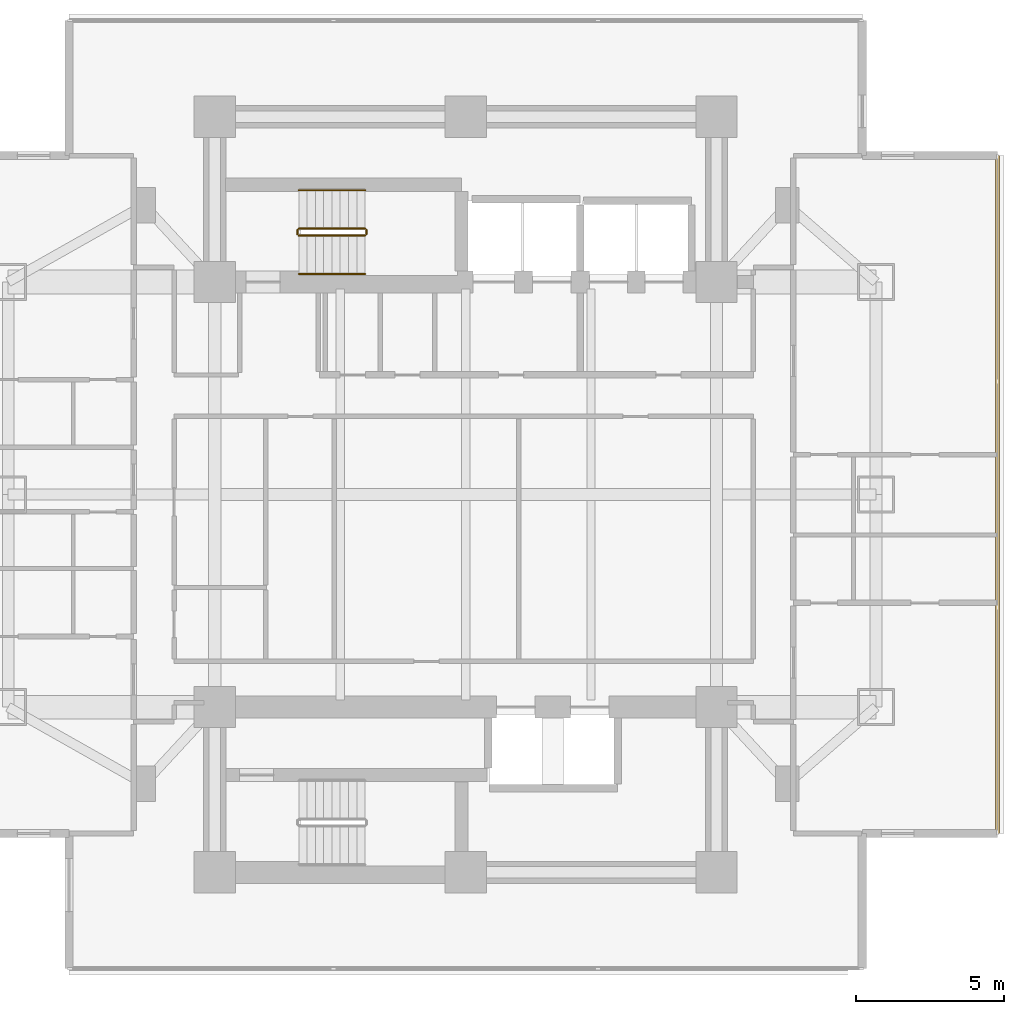
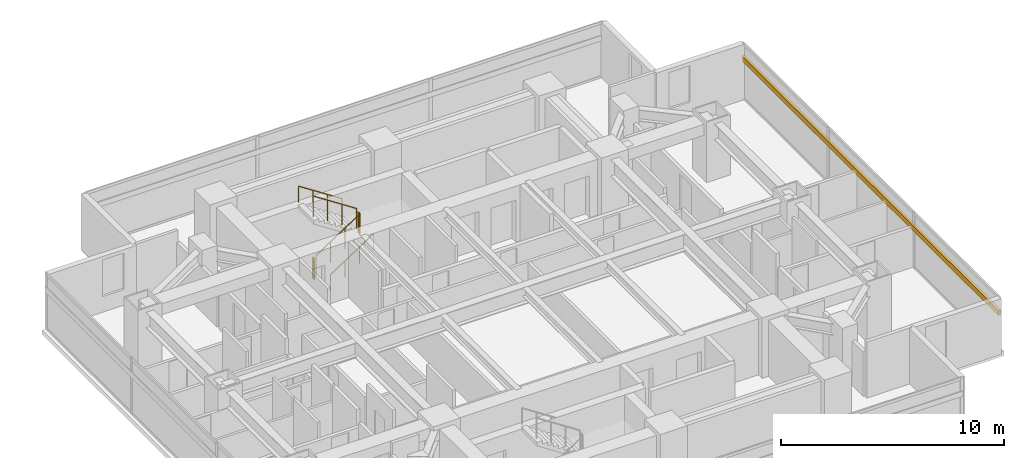
# One storey, part 25 of 26: 6 railings, 1 shading device.
"""IFC4 building model written with IfcOpenShell, lengths in metres."""

from ifc_helpers import new_model, si_unit, direction, frame, origin, origin_2d, place, context, subcontext, project, spatial, rectangle, circle, extrude, material, material_profile, profile_set, type_object, element, save


model = new_model("IFC4")

# Units and contexts
model_context = context("Model", 3, precision=1e-05, world=origin(), true_north=direction((0.0, 1.0)))
body_context = subcontext(model_context, "Body", "Model", "MODEL_VIEW")
ifc_project = project(units=[si_unit("LENGTHUNIT", "METRE"), si_unit("AREAUNIT", "SQUARE_METRE"), si_unit("VOLUMEUNIT", "CUBIC_METRE"), si_unit("PLANEANGLEUNIT", "RADIAN"), si_unit("MASSUNIT", "GRAM", prefix="KILO")], contexts=[model_context])

# Site, building, storey
site_placement = place(None, origin())
site = spatial("IfcSite", under=ifc_project, at=site_placement, CompositionType="ELEMENT")
building_placement = place(site_placement, origin())
building = spatial("IfcBuilding", under=site, at=building_placement, Name="Mirazonda Arch Towers", CompositionType="ELEMENT")
storey_placement = place(building_placement, frame((0.0, 0.0, 25.699951171875)))
storey = spatial("IfcBuildingStorey", under=building, at=storey_placement, Name="L06", CompositionType="ELEMENT", Elevation=25.699951171875)

# Shading device
ifc_material_1 = material(Name="Kiln-Fired Architectural Terracotta", Category="masonry")
ifc_material_profile = material_profile(ifc_material_1, rectangle(XDim=0.139892578125, YDim=0.280029296875, at=origin_2d()), Name="TERRA-BAG-140x280")
ifc_profile_set = profile_set([ifc_material_profile], Name="Kiln-Fired Architectural Terracotta")
shading_device_type = type_object("IfcShadingDeviceType", Name="BAGUETTE-3", PredefinedType="USERDEFINED", material=ifc_profile_set)
shading_device_placement = place(storey_placement, frame((94.51806640625, 16.5166015625, 2.18896484375), z_axis=(0.0, 1.0, 0.0), x_axis=(-1.0, 0.0, 0.0)))
element("IfcShadingDevice", 1, at=shading_device_placement, inside=storey, type_object=shading_device_type, Name="L06 Glazed Terracotta Sun-Screen Baguette CW-L06-T2-E", ObjectType="BAGUETTE", PredefinedType="USERDEFINED", context=body_context, shape_type="SweptSolid", body=[
    extrude(rectangle(XDim=0.139892578125, YDim=0.280029296875, at=origin_2d()), origin(), (0.0, 0.0, 1.0), 22.966796875),
])

# Railings
ifc_material_2 = material(Name="Architectural Brushed Steel S355", Category="steel")
railing_type_1 = type_object("IfcRailingType", Name="GUARD-STAIR-1120", PredefinedType="GUARDRAIL", material=ifc_material_2)
railing_1_placement = place(storey_placement, frame((70.85009765625, 36.77001953125, 0.183349609375)))
element("IfcRailing", 2, at=railing_1_placement, inside=storey, type_object=railing_type_1, Name="L06 ST-T2N stair guard 1", PredefinedType="GUARDRAIL", context=body_context, shape_type="SweptSolid", body=[
    extrude(circle(Radius=0.02392578125, at=origin_2d()), frame((0.0, 0.0, 1.1259765625), z_axis=(0.836595146698, 0.0, 0.547821650285), x_axis=(0.0, 1.0, 0.0)), (0.0, 0.0, 1.0), 2.677490234375),
    extrude(circle(Radius=0.02099609375, at=origin_2d()), origin(), (0.0, 0.0, 1.0), 1.101806640625),
    extrude(circle(Radius=0.02099609375, at=origin_2d()), frame((0.74658203125, 0.0, 0.489013671875)), (0.0, 0.0, 1.0), 1.101806640625),
    extrude(circle(Radius=0.02099609375, at=origin_2d()), frame((1.493408203125, 0.0, 0.977783203125)), (0.0, 0.0, 1.0), 1.101806640625),
    extrude(circle(Radius=0.02099609375, at=origin_2d()), frame((2.239990234375, 0.0, 1.466796875)), (0.0, 0.0, 1.0), 1.101806640625),
])
railing_2_placement = place(storey_placement, frame((73.139892578125, 36.820068359375, 1.650146484375)))
element("IfcRailing", 3, at=railing_2_placement, inside=storey, type_object=railing_type_1, Name="L06 ST-T2N stair guard 2", PredefinedType="GUARDRAIL", context=body_context, shape_type="SweptSolid", body=[
    extrude(circle(Radius=0.02392578125, at=origin_2d()), frame((0.0, 0.0, 1.1259765625), z_axis=(0.0, 1.0, 0.0), x_axis=(-1.0, 0.0, 0.0)), (0.0, 0.0, 1.0), 0.139892578125),
    extrude(circle(Radius=0.02099609375, at=origin_2d()), origin(), (0.0, 0.0, 1.0), 1.101806640625),
    extrude(circle(Radius=0.02099609375, at=origin_2d()), frame((0.0, 0.139892578125, 0.0)), (0.0, 0.0, 1.0), 1.101806640625),
])
railing_3_placement = place(storey_placement, frame((73.090087890625, 37.010009765625, 1.83349609375)))
element("IfcRailing", 4, at=railing_3_placement, inside=storey, type_object=railing_type_1, Name="L06 ST-T2N stair guard 3", PredefinedType="GUARDRAIL", context=body_context, shape_type="SweptSolid", body=[
    extrude(circle(Radius=0.02392578125, at=origin_2d()), frame((0.0, 0.0, 1.1259765625), z_axis=(-0.836636935527, 0.0, 0.547757827979), x_axis=(0.0, -1.0, 0.0)), (0.0, 0.0, 1.0), 2.677490234375),
    extrude(circle(Radius=0.02099609375, at=origin_2d()), origin(), (0.0, 0.0, 1.0), 1.101806640625),
    extrude(circle(Radius=0.02099609375, at=origin_2d()), frame((-0.74658203125, 0.0, 0.48876953125)), (0.0, 0.0, 1.0), 1.101806640625),
    extrude(circle(Radius=0.02099609375, at=origin_2d()), frame((-1.493408203125, 0.0, 0.977783203125)), (0.0, 0.0, 1.0), 1.101806640625),
    extrude(circle(Radius=0.02099609375, at=origin_2d()), frame((-2.239990234375, 0.0, 1.466552734375)), (0.0, 0.0, 1.0), 1.101806640625),
])
railing_4_placement = place(storey_placement, frame((70.800048828125, 36.820068359375, 0.0)))
element("IfcRailing", 5, at=railing_4_placement, inside=storey, type_object=railing_type_1, Name="L06 ST-T2N stair guard 4", PredefinedType="GUARDRAIL", context=body_context, shape_type="SweptSolid", body=[
    extrude(circle(Radius=0.02392578125, at=origin_2d()), frame((0.0, 0.0, 1.1259765625), z_axis=(0.0, 1.0, 0.0), x_axis=(-1.0, 0.0, 0.0)), (0.0, 0.0, 1.0), 0.139892578125),
    extrude(circle(Radius=0.02099609375, at=origin_2d()), origin(), (0.0, 0.0, 1.0), 1.101806640625),
    extrude(circle(Radius=0.02099609375, at=origin_2d()), frame((0.0, 0.139892578125, 0.0)), (0.0, 0.0, 1.0), 1.101806640625),
])
railing_type_2 = type_object("IfcRailingType", Name="HANDRAIL-915", PredefinedType="HANDRAIL", material=ifc_material_2)
railing_5_placement = place(storey_placement, frame((70.85009765625, 35.469970703125, 0.183349609375)))
element("IfcRailing", 6, at=railing_5_placement, inside=storey, type_object=railing_type_2, Name="L06 ST-T2N stair handrail 1", PredefinedType="HANDRAIL", context=body_context, shape_type="SweptSolid", body=[
    extrude(circle(Radius=0.02392578125, at=origin_2d()), frame((0.0, 0.0, 0.8759765625), z_axis=(0.836595146698, 0.0, 0.547821650285), x_axis=(0.0, 1.0, 0.0)), (0.0, 0.0, 1.0), 2.677490234375),
    extrude(circle(Radius=0.02099609375, at=origin_2d()), origin(), (0.0, 0.0, 1.0), 0.851806640625),
    extrude(circle(Radius=0.02099609375, at=origin_2d()), frame((0.74658203125, 0.0, 0.489013671875)), (0.0, 0.0, 1.0), 0.851806640625),
    extrude(circle(Radius=0.02099609375, at=origin_2d()), frame((1.493408203125, 0.0, 0.977783203125)), (0.0, 0.0, 1.0), 0.851806640625),
    extrude(circle(Radius=0.02099609375, at=origin_2d()), frame((2.239990234375, 0.0, 1.466796875)), (0.0, 0.0, 1.0), 0.851806640625),
])
railing_6_placement = place(storey_placement, frame((73.090087890625, 38.31005859375, 1.83349609375)))
element("IfcRailing", 7, at=railing_6_placement, inside=storey, type_object=railing_type_2, Name="L06 ST-T2N stair handrail 2", PredefinedType="HANDRAIL", context=body_context, shape_type="SweptSolid", body=[
    extrude(circle(Radius=0.02392578125, at=origin_2d()), frame((0.0, 0.0, 0.8759765625), z_axis=(-0.836636935527, 0.0, 0.547757827979), x_axis=(0.0, -1.0, 0.0)), (0.0, 0.0, 1.0), 2.677490234375),
    extrude(circle(Radius=0.02099609375, at=origin_2d()), origin(), (0.0, 0.0, 1.0), 0.851806640625),
    extrude(circle(Radius=0.02099609375, at=origin_2d()), frame((-0.74658203125, 0.0, 0.48876953125)), (0.0, 0.0, 1.0), 0.851806640625),
    extrude(circle(Radius=0.02099609375, at=origin_2d()), frame((-1.493408203125, 0.0, 0.977783203125)), (0.0, 0.0, 1.0), 0.851806640625),
    extrude(circle(Radius=0.02099609375, at=origin_2d()), frame((-2.239990234375, 0.0, 1.466552734375)), (0.0, 0.0, 1.0), 0.851806640625),
])

save(model, "model.ifc")
